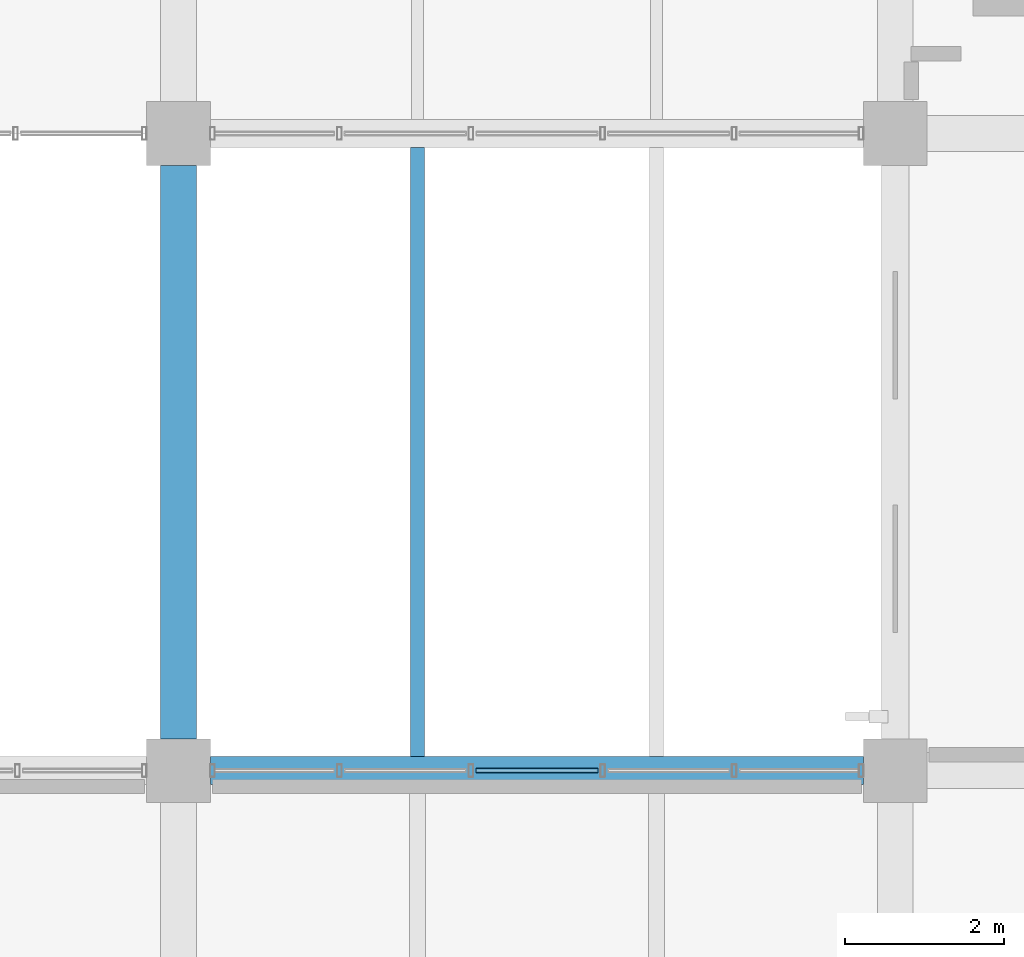
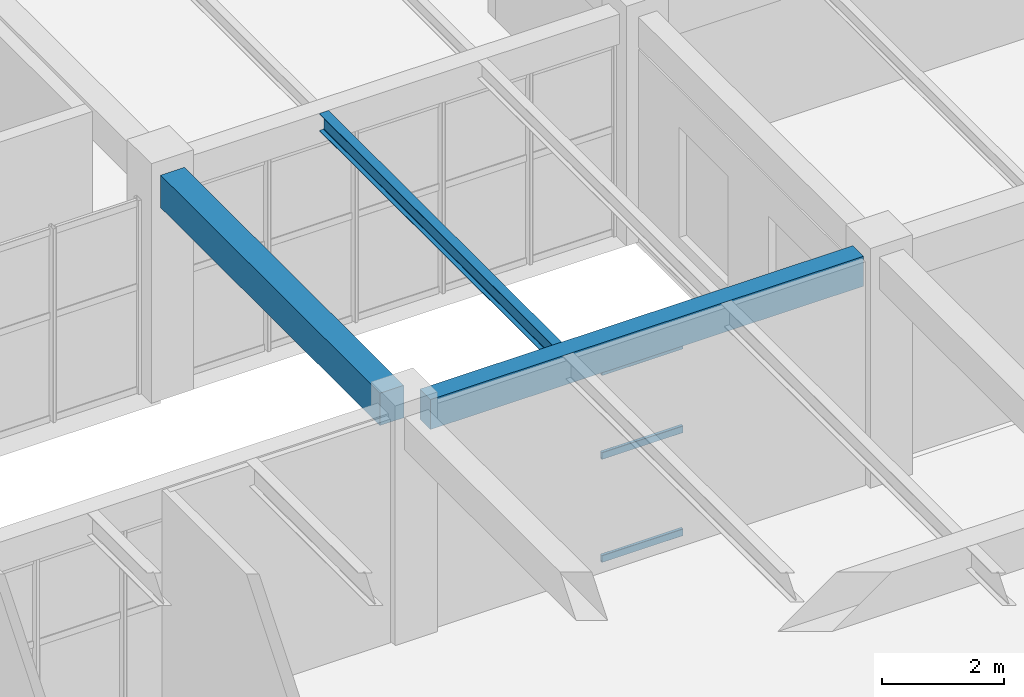
# One storey, part 22 of 178: 3 beams, 3 members, 1 element without a shape of its own.
"""IFC4 building model written with IfcOpenShell, lengths in metres."""

from ifc_helpers import new_model, si_unit, derived_unit, direction, frame, origin, origin_2d, place, context, subcontext, project, spatial, rectangle, hollow_rectangle, i_section, extrude, material, material_profile, profile_set, type_object, element, aggregate, save


model = new_model("IFC4")

# Units and contexts
model_context = context("Model", 3, precision=1e-05, world=origin(), true_north=direction((0.0, 1.0)))
body_context = subcontext(model_context, "Body", "Model", "MODEL_VIEW")
ifc_project = project(units=[si_unit("LENGTHUNIT", "METRE"), si_unit("AREAUNIT", "SQUARE_METRE"), si_unit("VOLUMEUNIT", "CUBIC_METRE"), si_unit("PLANEANGLEUNIT", "RADIAN"), si_unit("MASSUNIT", "GRAM", prefix="KILO"), derived_unit("THERMALTRANSMITTANCEUNIT", [(si_unit("MASSUNIT", "GRAM", prefix="KILO"), 1), (si_unit("TIMEUNIT", "SECOND"), -3), (si_unit("THERMODYNAMICTEMPERATUREUNIT", "KELVIN"), -1)])], contexts=[model_context])

# Site, building, storey
site_placement = place(None, origin())
site = spatial("IfcSite", under=ifc_project, at=site_placement, CompositionType="ELEMENT")
building_placement = place(site_placement, origin())
building = spatial("IfcBuilding", under=site, at=building_placement, Name="Zhenchuan Archway Interchange", CompositionType="ELEMENT")
storey_placement = place(building_placement, frame((0.0, 0.0, 5.39990234375)))
storey = spatial("IfcBuildingStorey", under=building, at=storey_placement, Name="L01", CompositionType="ELEMENT", Elevation=5.39990234375)

# Beam
ifc_material_1 = material(Name="Concrete C40", Category="concrete")
ifc_material_profile_1 = material_profile(ifc_material_1, rectangle(XDim=0.449951171875, YDim=0.64990234375, at=origin_2d()), Name="RC 450x650")
ifc_profile_set_1 = profile_set([ifc_material_profile_1], Name="Concrete C40")
beam_type_1 = type_object("IfcBeamType", Name="BM_RC_450x650", PredefinedType="BEAM", material=ifc_profile_set_1)
beam_1_placement = place(storey_placement, frame((27.0, 16.39990234375, 4.18505859375), z_axis=(0.0, 1.0, 0.0), x_axis=(-1.0, 0.0, 0.0)))
element("IfcBeam", 1, at=beam_1_placement, inside=storey, type_object=beam_type_1, Name="Beam 4:C-D (L01)", PredefinedType="BEAM", context=body_context, shape_type="SweptSolid", body=[
    extrude(rectangle(XDim=0.449951171875, YDim=0.64990234375, at=origin_2d()), origin(), (0.0, 0.0, 1.0), 7.2001953125),
])

# Curtain wall, members
ifc_material_2 = material(Name="Anodised Aluminium", Category="aluminium")
curtain_wall_type = type_object("IfcCurtainWallType", Name="CW_UNIT_1", PredefinedType="NOTDEFINED", material=ifc_material_2)
curtain_wall_placement = place(storey_placement, origin())
curtain_wall = element("IfcCurtainWall", 2, at=curtain_wall_placement, inside=storey, type_object=curtain_wall_type, Name="Unitised curtain wall CW:L01:092", PredefinedType="NOTDEFINED")
ifc_material_profile_2 = material_profile(ifc_material_2, hollow_rectangle(XDim=0.06005859375, YDim=0.139892578125, WallThickness=0.00341796875, InnerFilletRadius=0.00341796875, OuterFilletRadius=0.007080078125, at=origin_2d()), Name="ALU 140x60x3.5")
ifc_profile_set_2 = profile_set([ifc_material_profile_2], Name="Anodised Aluminium")
member_type = type_object("IfcMemberType", Name="CW_TRN_140", PredefinedType="USERDEFINED", material=ifc_profile_set_2)
member_1_placement = place(storey_placement, frame((30.733642578125, 16.0, 0.06005859375), z_axis=(1.0, 0.0, 0.0), x_axis=(0.0, 1.0, 0.0)))
member_1 = element("IfcMember", 3, at=member_1_placement, type_object=member_type, Name="CW:L01:092 transom 2-1", ObjectType="TRANSOM", PredefinedType="USERDEFINED", context=body_context, shape_type="SweptSolid", body=[
    extrude(hollow_rectangle(XDim=0.06005859375, YDim=0.139892578125, WallThickness=0.00341796875, InnerFilletRadius=0.00341796875, OuterFilletRadius=0.007080078125, at=origin_2d()), origin(), (0.0, 0.0, 1.0), 1.53271484375),
])
member_2_placement = place(storey_placement, frame((30.733642578125, 16.0, 2.123046875), z_axis=(1.0, 0.0, 0.0), x_axis=(0.0, 1.0, 0.0)))
member_2 = element("IfcMember", 4, at=member_2_placement, type_object=member_type, Name="CW:L01:092 transom 2-2", ObjectType="TRANSOM", PredefinedType="USERDEFINED", context=body_context, shape_type="SweptSolid", body=[
    extrude(hollow_rectangle(XDim=0.06005859375, YDim=0.139892578125, WallThickness=0.00341796875, InnerFilletRadius=0.00341796875, OuterFilletRadius=0.007080078125, at=origin_2d()), origin(), (0.0, 0.0, 1.0), 1.53271484375),
])
member_3_placement = place(storey_placement, frame((30.733642578125, 16.0, 3.800048828125), z_axis=(1.0, 0.0, 0.0), x_axis=(0.0, 1.0, 0.0)))
member_3 = element("IfcMember", 5, at=member_3_placement, type_object=member_type, Name="CW:L01:092 transom 2-3", ObjectType="TRANSOM", PredefinedType="USERDEFINED", context=body_context, shape_type="SweptSolid", body=[
    extrude(hollow_rectangle(XDim=0.06005859375, YDim=0.139892578125, WallThickness=0.00341796875, InnerFilletRadius=0.00341796875, OuterFilletRadius=0.007080078125, at=origin_2d()), origin(), (0.0, 0.0, 1.0), 1.53271484375),
])
aggregate(curtain_wall, [member_1, member_2, member_3])

# Beams
ifc_material_3 = material(Name="Steel Q355", Category="steel")
ifc_material_profile_3 = material_profile(ifc_material_3, i_section(OverallWidth=0.175048828125, OverallDepth=0.35009765625, WebThickness=0.007080078125, FlangeThickness=0.010986328125, FilletRadius=0.013916015625, at=origin_2d()), Name="HN 350x175")
ifc_profile_set_3 = profile_set([ifc_material_profile_3], Name="Steel Q355")
beam_type_2 = type_object("IfcBeamType", Name="JST_STL_HN350", PredefinedType="JOIST", material=ifc_profile_set_3)
beam_2_placement = place(storey_placement, frame((30.0, 16.175048828125, 4.335205078125), z_axis=(0.0, 1.0, 0.0), x_axis=(-1.0, 0.0, 0.0)))
element("IfcBeam", 6, at=beam_2_placement, inside=storey, type_object=beam_type_2, Name="Secondary joist 4-5/C-D #1 (L01)", PredefinedType="JOIST", context=body_context, shape_type="SweptSolid", body=[
    extrude(i_section(OverallWidth=0.175048828125, OverallDepth=0.35009765625, WebThickness=0.007080078125, FlangeThickness=0.010986328125, FilletRadius=0.013916015625, at=origin_2d()), origin(), (0.0, 0.0, 1.0), 7.64990234375),
])
ifc_material_profile_4 = material_profile(ifc_material_1, rectangle(XDim=0.35009765625, YDim=0.60009765625, at=origin_2d()), Name="RC 350x600")
ifc_profile_set_4 = profile_set([ifc_material_profile_4], Name="Concrete C40")
beam_type_3 = type_object("IfcBeamType", Name="SP_RC_350x600", PredefinedType="SPANDREL", material=ifc_profile_set_4)
beam_3_placement = place(storey_placement, frame((27.39990234375, 16.0, 4.210205078125), z_axis=(1.0, 0.0, 0.0), x_axis=(0.0, 1.0, 0.0)))
element("IfcBeam", 7, at=beam_3_placement, inside=storey, type_object=beam_type_3, Name="Beam C:4-5 (L01)", PredefinedType="SPANDREL", context=body_context, shape_type="SweptSolid", body=[
    extrude(rectangle(XDim=0.35009765625, YDim=0.60009765625, at=origin_2d()), origin(), (0.0, 0.0, 1.0), 8.2001953125),
])

save(model, "model.ifc")
